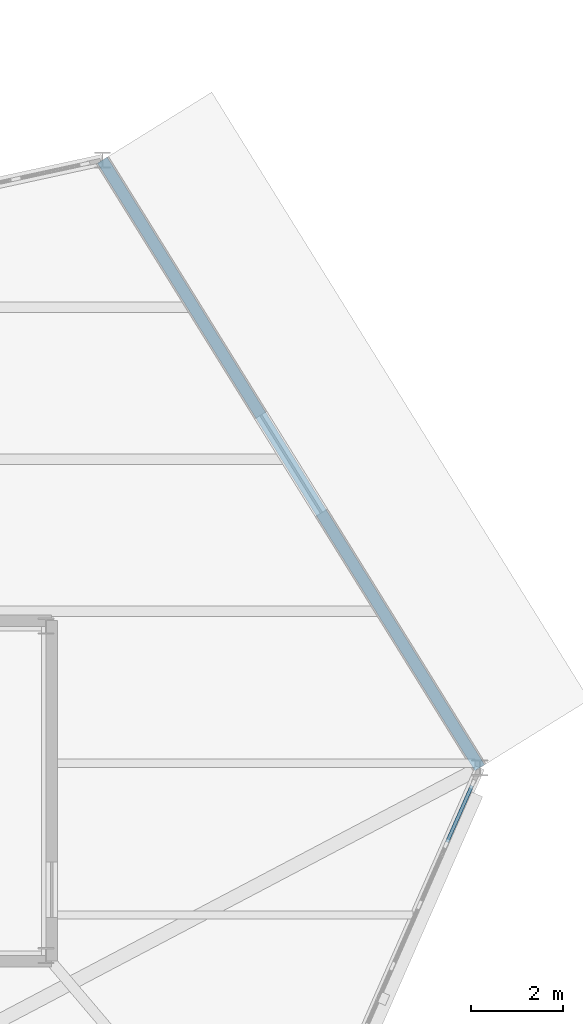
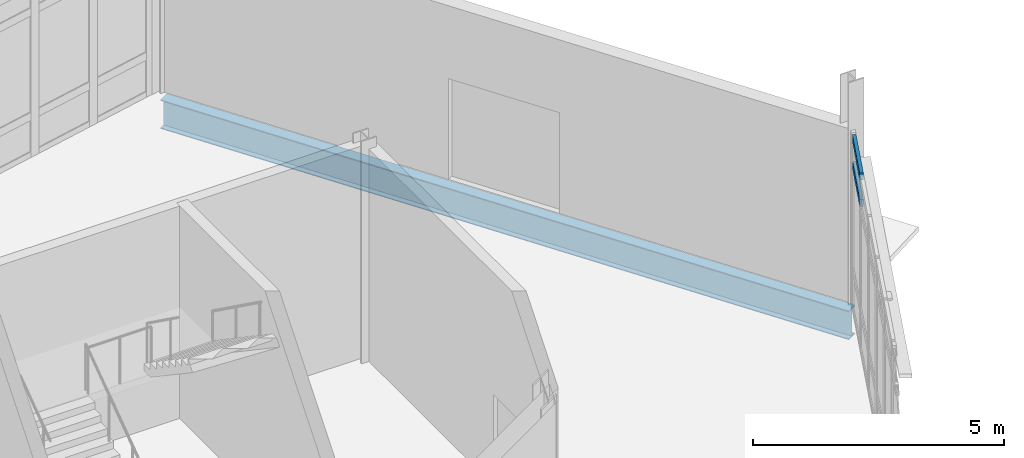
# One storey, part 61 of 113: 2 members, 1 beam, 1 element without a shape of its own.
"""IFC4 building model written with IfcOpenShell, lengths in metres."""

from ifc_helpers import new_model, si_unit, direction, frame, origin, origin_2d, place, context, subcontext, project, spatial, rectangle, i_section, extrude, material, material_profile, profile_set, type_object, element, aggregate, save


model = new_model("IFC4")

# Units and contexts
model_context = context("Model", 3, precision=1e-05, world=origin(), true_north=direction((0.0, 1.0)))
body_context = subcontext(model_context, "Body", "Model", "MODEL_VIEW")
ifc_project = project(units=[si_unit("LENGTHUNIT", "METRE"), si_unit("AREAUNIT", "SQUARE_METRE"), si_unit("VOLUMEUNIT", "CUBIC_METRE"), si_unit("PLANEANGLEUNIT", "RADIAN"), si_unit("MASSUNIT", "GRAM", prefix="KILO")], contexts=[model_context])

# Site, building, storey
site_placement = place(None, origin())
site = spatial("IfcSite", under=ifc_project, at=site_placement, CompositionType="ELEMENT")
building_placement = place(site_placement, origin())
building = spatial("IfcBuilding", under=site, at=building_placement, Name="Tameran Prism Museum", CompositionType="ELEMENT")
storey_placement = place(building_placement, origin())
storey = spatial("IfcBuildingStorey", under=building, at=storey_placement, Name="L00", CompositionType="ELEMENT", Elevation=0.0)

# Beam
ifc_material_1 = material(Name="Steel Grade 350 (350 MPa)", Category="steel")
ifc_material_profile_1 = material_profile(ifc_material_1, i_section(OverallWidth=0.25, OverallDepth=0.699951171875, WebThickness=0.010009765625, FlangeThickness=0.02001953125, at=origin_2d()))
ifc_profile_set_1 = profile_set([ifc_material_profile_1])
beam_type = type_object("IfcBeamType", Name="BM-SP700", PredefinedType="SPANDREL", material=ifc_profile_set_1)
beam_placement = place(storey_placement, frame((166.39990234375, 34.0, -0.590087890625), z_axis=(-0.527682342596, 0.849441784534, 0.0), x_axis=(-0.849441784534, -0.527682342596, 0.0)))
element("IfcBeam", 1, at=beam_placement, inside=storey, type_object=beam_type, Name="Perimeter Spandrel SP-0096", PredefinedType="SPANDREL", context=body_context, shape_type="SweptSolid", body=[
    extrude(i_section(OverallWidth=0.25, OverallDepth=0.699951171875, WebThickness=0.010009765625, FlangeThickness=0.02001953125, at=origin_2d()), origin(), (0.0, 0.0, 1.0), 15.53955078125),
])

# Curtain wall, members
ifc_material_2 = material(Name="Anodised Aluminium 6063-T6 and Cyclone Solar Glass", Category="aluminium")
curtain_wall_type = type_object("IfcCurtainWallType", Name="CW-FAC-1016x422", PredefinedType="USERDEFINED", material=ifc_material_2)
curtain_wall_placement = place(storey_placement, origin())
curtain_wall = element("IfcCurtainWall", 2, at=curtain_wall_placement, inside=storey, type_object=curtain_wall_type, Name="Unitised Curtain Wall CW-053", ObjectType="UNITISED CURTAIN WALL", PredefinedType="USERDEFINED")
ifc_material_3 = material(Name="Anodised Aluminium Alloy 6063-T6", Category="aluminium")
ifc_material_profile_2 = material_profile(ifc_material_3, rectangle(XDim=0.074951171875, YDim=0.175048828125, at=origin_2d()))
ifc_profile_set_2 = profile_set([ifc_material_profile_2])
member_type = type_object("IfcMemberType", Name="CW-TRN-C", PredefinedType="USERDEFINED", material=ifc_profile_set_2)
member_1_placement = place(storey_placement, frame((166.228759765625, 33.611328125, 3.5400390625), z_axis=(-0.402720293839, -0.915323093192, 0.0), x_axis=(0.915323093192, -0.402720293839, 0.0)))
member_1 = element("IfcMember", 3, at=member_1_placement, type_object=member_type, Name="CW-053 transom 1.3", ObjectType="TRANSOM", PredefinedType="USERDEFINED", context=body_context, shape_type="SweptSolid", body=[
    extrude(rectangle(XDim=0.074951171875, YDim=0.175048828125, at=origin_2d()), origin(), (0.0, 0.0, 1.0), 1.33984375),
])
member_2_placement = place(storey_placement, frame((166.228759765625, 33.611328125, 4.1826171875), z_axis=(-0.402720293839, -0.915323093192, 0.0), x_axis=(0.915323093192, -0.402720293839, 0.0)))
member_2 = element("IfcMember", 4, at=member_2_placement, type_object=member_type, Name="CW-053 transom 1.4", ObjectType="TRANSOM", PredefinedType="USERDEFINED", context=body_context, shape_type="SweptSolid", body=[
    extrude(rectangle(XDim=0.074951171875, YDim=0.175048828125, at=origin_2d()), origin(), (0.0, 0.0, 1.0), 1.33984375),
])
aggregate(curtain_wall, [member_1, member_2])

save(model, "model.ifc")
